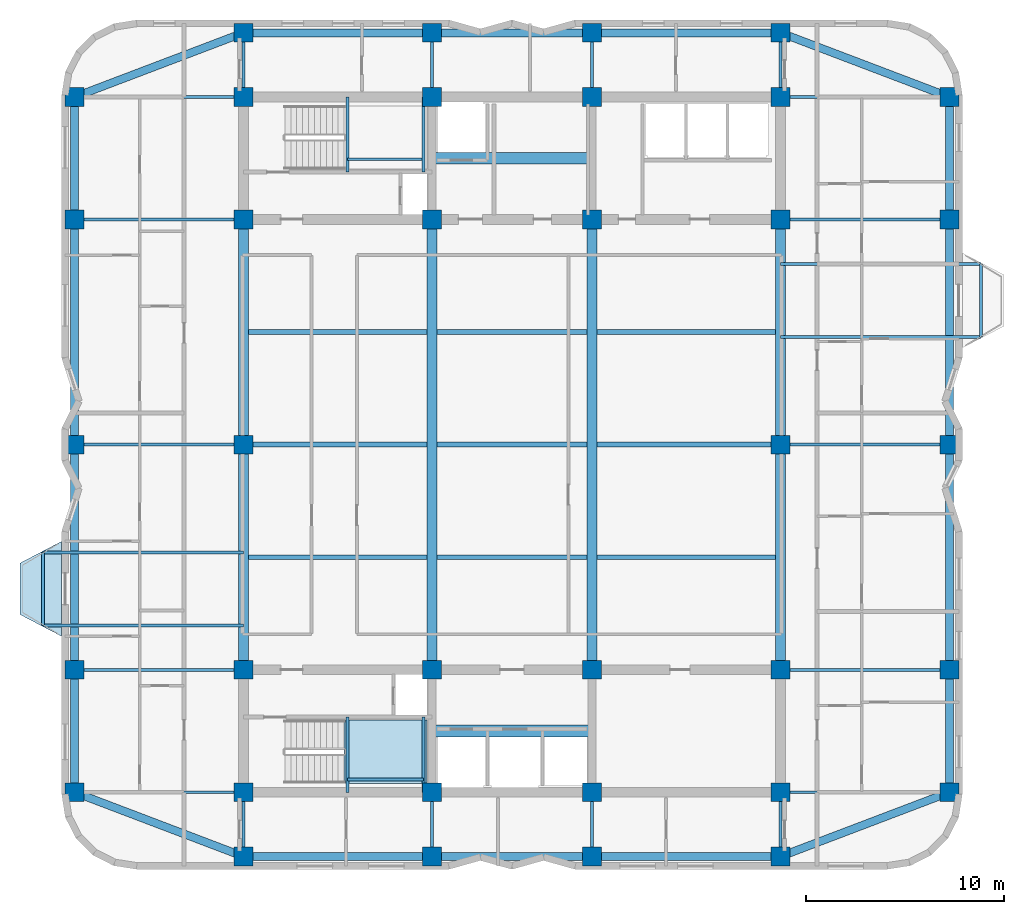
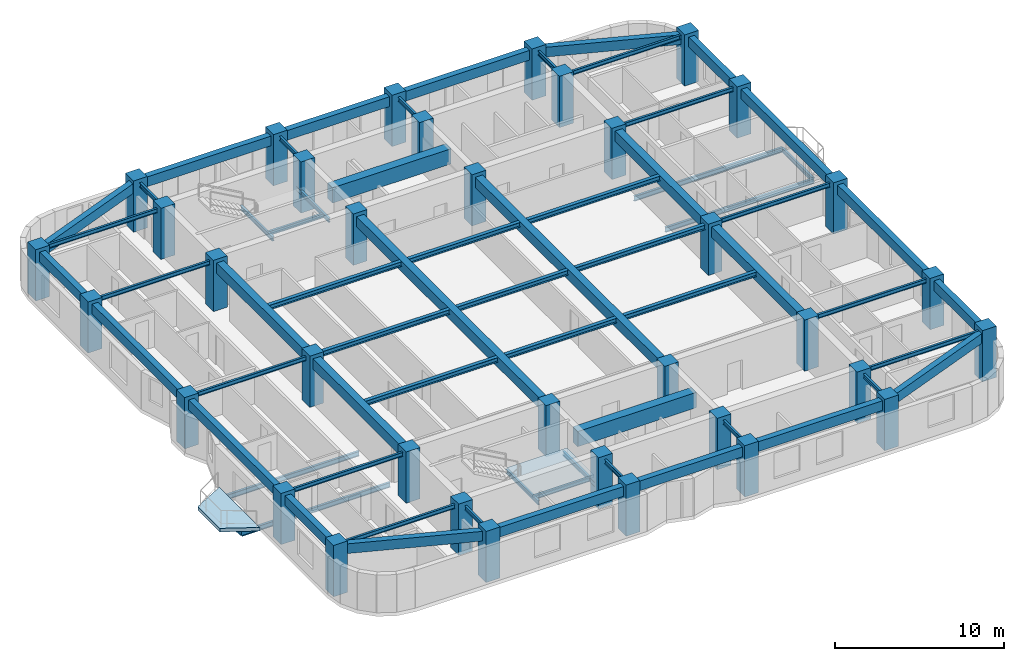
# One storey, part 1 of 9: 65 beams, 36 columns, 2 slabs, 1 element without a shape of its own.
"""IFC4 building model written with IfcOpenShell, lengths in metres."""

from ifc_helpers import new_model, si_unit, direction, frame, origin, origin_2d, place, context, subcontext, project, spatial, polyline, rectangle, i_section, outline, extrude, material, layer, layer_set, material_profile, profile_set, type_object, element, aggregate, save


model = new_model("IFC4")

# Units and contexts
model_context = context("Model", 3, precision=1e-05, world=origin(), true_north=direction((0.0, 1.0)))
body_context = subcontext(model_context, "Body", "Model", "MODEL_VIEW")
ifc_project = project(units=[si_unit("LENGTHUNIT", "METRE"), si_unit("AREAUNIT", "SQUARE_METRE"), si_unit("VOLUMEUNIT", "CUBIC_METRE"), si_unit("PLANEANGLEUNIT", "RADIAN"), si_unit("MASSUNIT", "GRAM", prefix="KILO")], contexts=[model_context])

# Site, building, storey
site_placement = place(None, origin())
site = spatial("IfcSite", under=ifc_project, at=site_placement, CompositionType="ELEMENT")
building_placement = place(site_placement, origin())
building = spatial("IfcBuilding", under=site, at=building_placement, Name="Svetorya Sky Lyceum", CompositionType="ELEMENT")
storey_placement = place(building_placement, frame((0.0, 0.0, 181.10009765625)))
storey = spatial("IfcBuildingStorey", under=building, at=storey_placement, Name="L45", CompositionType="ELEMENT", Elevation=181.10009765625)

# Columns
ifc_material_1 = material(Name="Concrete C50/60", Category="concrete")
ifc_material_profile_1 = material_profile(ifc_material_1, rectangle(XDim=0.949951171875, YDim=0.949951171875, at=origin_2d()), Name="RC COL 950x950")
ifc_profile_set_1 = profile_set([ifc_material_profile_1], Name="Concrete C50/60")
column_type = type_object("IfcColumnType", Name="COL-RC-950", PredefinedType="COLUMN", material=ifc_profile_set_1)
for number, where, z_axis, x_axis, name in (
    (1, (25.60009765625, 10.60009765625, 0.0), (0.0, 0.0, 1.0), (1.0, 0.0, 0.0), "L45 Core Column CS-11"),
    (2, (25.60009765625, 16.800048828125, 0.0), (0.0, 0.0, 1.0), (1.0, 0.0, 0.0), "L45 Core Column CS-12"),
    (3, (35.14990234375, 10.60009765625, 0.0), (0.0, 0.0, 1.0), (1.0, 0.0, 0.0), "L45 Core Column CS-21"),
    (4, (35.14990234375, 16.800048828125, 0.0), (0.0, 0.0, 1.0), (1.0, 0.0, 0.0), "L45 Core Column CS-22"),
    (5, (43.25, 10.60009765625, 0.0), (0.0, 0.0, 1.0), (1.0, 0.0, 0.0), "L45 Core Column CS-31"),
    (6, (43.25, 16.800048828125, 0.0), (0.0, 0.0, 1.0), (1.0, 0.0, 0.0), "L45 Core Column CS-32"),
    (7, (52.800048828125, 10.60009765625, 0.0), (0.0, 0.0, 1.0), (1.0, 0.0, 0.0), "L45 Core Column CS-41"),
    (8, (52.800048828125, 16.800048828125, 0.0), (0.0, 0.0, 1.0), (1.0, 0.0, 0.0), "L45 Core Column CS-42"),
    (9, (25.60009765625, 39.60009765625, 0.0), (0.0, 0.0, 1.0), (1.0, 0.0, 0.0), "L45 Core Column CN-11"),
    (10, (25.60009765625, 45.800048828125, 0.0), (0.0, 0.0, 1.0), (1.0, 0.0, 0.0), "L45 Core Column CN-12"),
    (11, (35.14990234375, 39.60009765625, 0.0), (0.0, 0.0, 1.0), (1.0, 0.0, 0.0), "L45 Core Column CN-21"),
    (12, (35.14990234375, 45.800048828125, 0.0), (0.0, 0.0, 1.0), (1.0, 0.0, 0.0), "L45 Core Column CN-22"),
    (13, (43.25, 39.60009765625, 0.0), (0.0, 0.0, 1.0), (1.0, 0.0, 0.0), "L45 Core Column CN-31"),
    (14, (43.25, 45.800048828125, 0.0), (0.0, 0.0, 1.0), (1.0, 0.0, 0.0), "L45 Core Column CN-32"),
    (15, (52.800048828125, 39.60009765625, 0.0), (0.0, 0.0, 1.0), (1.0, 0.0, 0.0), "L45 Core Column CN-41"),
    (16, (52.800048828125, 45.800048828125, 0.0), (0.0, 0.0, 1.0), (1.0, 0.0, 0.0), "L45 Core Column CN-42"),
    (17, (25.60009765625, 28.199951171875, 0.0), (0.0, 0.0, 1.0), (1.0, 0.0, 0.0), "L45 Core Column CM-W"),
    (18, (52.800048828125, 28.199951171875, 0.0), (0.0, 0.0, 1.0), (1.0, 0.0, 0.0), "L45 Core Column CM-E"),
    (19, (25.60009765625, 7.35009765625, 0.0), (0.0, 0.0, 1.0), (1.0, 0.0, 0.0), "L45 Perimeter Column S1"),
    (20, (25.60009765625, 49.050048828125, 0.0), (0.0, 0.0, 1.0), (1.0, 0.0, 0.0), "L45 Perimeter Column N1"),
    (21, (35.14990234375, 7.35009765625, 0.0), (0.0, 0.0, 1.0), (1.0, 0.0, 0.0), "L45 Perimeter Column S2"),
    (22, (35.14990234375, 49.050048828125, 0.0), (0.0, 0.0, 1.0), (1.0, 0.0, 0.0), "L45 Perimeter Column N2"),
    (23, (43.25, 7.35009765625, 0.0), (0.0, 0.0, 1.0), (1.0, 0.0, 0.0), "L45 Perimeter Column S3"),
    (24, (43.25, 49.050048828125, 0.0), (0.0, 0.0, 1.0), (1.0, 0.0, 0.0), "L45 Perimeter Column N3"),
    (25, (52.800048828125, 7.35009765625, 0.0), (0.0, 0.0, 1.0), (1.0, 0.0, 0.0), "L45 Perimeter Column S4"),
    (26, (52.800048828125, 49.050048828125, 0.0), (0.0, 0.0, 1.0), (1.0, 0.0, 0.0), "L45 Perimeter Column N4"),
    (27, (17.050048828125, 10.60009765625, 0.0), (0.0, 0.0, 1.0), (1.0, 0.0, 0.0), "L45 Perimeter Column W1"),
    (28, (61.35009765625, 10.60009765625, 0.0), (0.0, 0.0, 1.0), (1.0, 0.0, 0.0), "L45 Perimeter Column E1"),
    (29, (17.050048828125, 16.800048828125, 0.0), (0.0, 0.0, 1.0), (1.0, 0.0, 0.0), "L45 Perimeter Column W2"),
    (30, (61.35009765625, 16.800048828125, 0.0), (0.0, 0.0, 1.0), (1.0, 0.0, 0.0), "L45 Perimeter Column E2"),
    (31, (17.050048828125, 28.199951171875, 0.0), (0.0, 0.0, 1.0), (1.0, 0.0, 0.0), "L45 Perimeter Column W3"),
    (32, (61.35009765625, 28.199951171875, 0.0), (0.0, 0.0, 1.0), (1.0, 0.0, 0.0), "L45 Perimeter Column E3"),
    (33, (17.050048828125, 39.60009765625, 0.0), (0.0, 0.0, 1.0), (1.0, 0.0, 0.0), "L45 Perimeter Column W4"),
    (34, (61.35009765625, 39.60009765625, 0.0), (0.0, 0.0, 1.0), (1.0, 0.0, 0.0), "L45 Perimeter Column E4"),
    (35, (17.050048828125, 45.800048828125, 0.0), (0.0, 0.0, 1.0), (1.0, 0.0, 0.0), "L45 Perimeter Column W5"),
    (36, (61.35009765625, 45.800048828125, 0.0), (0.0, 0.0, 1.0), (1.0, 0.0, 0.0), "L45 Perimeter Column E5"),
):
    element("IfcColumn", number, at=place(storey_placement, frame(where, z_axis=z_axis, x_axis=x_axis)), inside=storey, type_object=column_type, Name=name, PredefinedType="COLUMN", context=body_context, shape_type="SweptSolid", body=[
        extrude(rectangle(XDim=0.949951171875, YDim=0.949951171875, at=origin_2d()), origin(), (0.0, 0.0, 1.0), 3.699951171875),
    ])

# Beams
ifc_material_2 = material(Name="Concrete C60/75", Category="concrete")
ifc_material_profile_2 = material_profile(ifc_material_2, rectangle(XDim=0.60009765625, YDim=1.10009765625, at=origin_2d()), Name="RC COUPLING 600x1100")
ifc_profile_set_2 = profile_set([ifc_material_profile_2], Name="Concrete C60/75")
beam_type_1 = type_object("IfcBeamType", Name="BM-CPL-1100", PredefinedType="LINTEL", material=ifc_profile_set_2)
for number, where, z_axis, x_axis, name in (
    (37, (35.14990234375, 13.699951171875, 2.889892578125), (1.0, 0.0, 0.0), (0.0, 1.0, 0.0), "L45 SC Core Coupling Beam"),
    (38, (35.14990234375, 42.699951171875, 2.889892578125), (1.0, 0.0, 0.0), (0.0, 1.0, 0.0), "L45 NC Core Coupling Beam"),
):
    element("IfcBeam", number, at=place(storey_placement, frame(where, z_axis=z_axis, x_axis=x_axis)), inside=storey, type_object=beam_type_1, Name=name, PredefinedType="LINTEL", context=body_context, shape_type="SweptSolid", body=[
        extrude(rectangle(XDim=0.60009765625, YDim=1.10009765625, at=origin_2d()), origin(), (0.0, 0.0, 1.0), 8.10009765625),
    ])
ifc_material_profile_3 = material_profile(ifc_material_1, rectangle(XDim=0.5, YDim=0.75, at=origin_2d()), Name="RC BEAM 500x750")
ifc_profile_set_3 = profile_set([ifc_material_profile_3], Name="Concrete C50/60")
beam_type_2 = type_object("IfcBeamType", Name="BM-RC-750", PredefinedType="BEAM", material=ifc_profile_set_3)
beam_1_placement = place(storey_placement, frame((25.60009765625, 16.800048828125, 3.06494140625), z_axis=(0.0, 1.0, 0.0), x_axis=(-1.0, 0.0, 0.0)))
element("IfcBeam", 39, at=beam_1_placement, inside=storey, type_object=beam_type_2, Name="L45 Central Bay Primary Girder CG-1A", PredefinedType="BEAM", context=body_context, shape_type="SweptSolid", body=[
    extrude(rectangle(XDim=0.5, YDim=0.75, at=origin_2d()), origin(), (0.0, 0.0, 1.0), 11.39990234375),
])
beam_2_placement = place(storey_placement, frame((25.60009765625, 28.199951171875, 3.06494140625), z_axis=(0.0, 1.0, 0.0), x_axis=(-1.0, 0.0, 0.0)))
element("IfcBeam", 40, at=beam_2_placement, inside=storey, type_object=beam_type_2, Name="L45 Central Bay Primary Girder CG-1B", PredefinedType="BEAM", context=body_context, shape_type="SweptSolid", body=[
    extrude(rectangle(XDim=0.5, YDim=0.75, at=origin_2d()), origin(), (0.0, 0.0, 1.0), 11.400146484375),
])
for number, where, z_axis, x_axis, name in (
    (41, (35.14990234375, 16.800048828125, 3.06494140625), (0.0, 1.0, 0.0), (-1.0, 0.0, 0.0), "L45 Central Bay Primary Girder CG-2"),
    (42, (43.25, 16.800048828125, 3.06494140625), (0.0, 1.0, 0.0), (-1.0, 0.0, 0.0), "L45 Central Bay Primary Girder CG-3"),
):
    element("IfcBeam", number, at=place(storey_placement, frame(where, z_axis=z_axis, x_axis=x_axis)), inside=storey, type_object=beam_type_2, Name=name, PredefinedType="BEAM", context=body_context, shape_type="SweptSolid", body=[
        extrude(rectangle(XDim=0.5, YDim=0.75, at=origin_2d()), origin(), (0.0, 0.0, 1.0), 22.800048828125),
    ])
beam_3_placement = place(storey_placement, frame((52.800048828125, 16.800048828125, 3.06494140625), z_axis=(0.0, 1.0, 0.0), x_axis=(-1.0, 0.0, 0.0)))
element("IfcBeam", 43, at=beam_3_placement, inside=storey, type_object=beam_type_2, Name="L45 Central Bay Primary Girder CG-4A", PredefinedType="BEAM", context=body_context, shape_type="SweptSolid", body=[
    extrude(rectangle(XDim=0.5, YDim=0.75, at=origin_2d()), origin(), (0.0, 0.0, 1.0), 11.39990234375),
])
beam_4_placement = place(storey_placement, frame((52.800048828125, 28.199951171875, 3.06494140625), z_axis=(0.0, 1.0, 0.0), x_axis=(-1.0, 0.0, 0.0)))
element("IfcBeam", 44, at=beam_4_placement, inside=storey, type_object=beam_type_2, Name="L45 Central Bay Primary Girder CG-4B", PredefinedType="BEAM", context=body_context, shape_type="SweptSolid", body=[
    extrude(rectangle(XDim=0.5, YDim=0.75, at=origin_2d()), origin(), (0.0, 0.0, 1.0), 11.400146484375),
])
ifc_material_profile_4 = material_profile(ifc_material_1, rectangle(XDim=0.39990234375, YDim=0.699951171875, at=origin_2d()), Name="RC SPANDREL 400x700")
ifc_profile_set_4 = profile_set([ifc_material_profile_4], Name="Concrete C50/60")
beam_type_3 = type_object("IfcBeamType", Name="BM-SPN-700", PredefinedType="SPANDREL", material=ifc_profile_set_4)
beam_5_placement = place(storey_placement, frame((25.60009765625, 7.35009765625, 3.08984375), z_axis=(1.0, 0.0, 0.0), x_axis=(0.0, 1.0, 0.0)))
element("IfcBeam", 45, at=beam_5_placement, inside=storey, type_object=beam_type_3, Name="L45 South Spandrel 1", PredefinedType="SPANDREL", context=body_context, shape_type="SweptSolid", body=[
    extrude(rectangle(XDim=0.39990234375, YDim=0.699951171875, at=origin_2d()), origin(), (0.0, 0.0, 1.0), 9.5498046875),
])
beam_6_placement = place(storey_placement, frame((35.14990234375, 7.35009765625, 3.08984375), z_axis=(1.0, 0.0, 0.0), x_axis=(0.0, 1.0, 0.0)))
element("IfcBeam", 46, at=beam_6_placement, inside=storey, type_object=beam_type_3, Name="L45 South Spandrel 2", PredefinedType="SPANDREL", context=body_context, shape_type="SweptSolid", body=[
    extrude(rectangle(XDim=0.39990234375, YDim=0.699951171875, at=origin_2d()), origin(), (0.0, 0.0, 1.0), 8.10009765625),
])
beam_7_placement = place(storey_placement, frame((43.25, 7.35009765625, 3.08984375), z_axis=(1.0, 0.0, 0.0), x_axis=(0.0, 1.0, 0.0)))
element("IfcBeam", 47, at=beam_7_placement, inside=storey, type_object=beam_type_3, Name="L45 South Spandrel 3", PredefinedType="SPANDREL", context=body_context, shape_type="SweptSolid", body=[
    extrude(rectangle(XDim=0.39990234375, YDim=0.699951171875, at=origin_2d()), origin(), (0.0, 0.0, 1.0), 9.550048828125),
])
beam_8_placement = place(storey_placement, frame((25.60009765625, 49.050048828125, 3.08984375), z_axis=(1.0, 0.0, 0.0), x_axis=(0.0, 1.0, 0.0)))
element("IfcBeam", 48, at=beam_8_placement, inside=storey, type_object=beam_type_3, Name="L45 North Spandrel 1", PredefinedType="SPANDREL", context=body_context, shape_type="SweptSolid", body=[
    extrude(rectangle(XDim=0.39990234375, YDim=0.699951171875, at=origin_2d()), origin(), (0.0, 0.0, 1.0), 9.5498046875),
])
beam_9_placement = place(storey_placement, frame((35.14990234375, 49.050048828125, 3.08984375), z_axis=(1.0, 0.0, 0.0), x_axis=(0.0, 1.0, 0.0)))
element("IfcBeam", 49, at=beam_9_placement, inside=storey, type_object=beam_type_3, Name="L45 North Spandrel 2", PredefinedType="SPANDREL", context=body_context, shape_type="SweptSolid", body=[
    extrude(rectangle(XDim=0.39990234375, YDim=0.699951171875, at=origin_2d()), origin(), (0.0, 0.0, 1.0), 8.10009765625),
])
beam_10_placement = place(storey_placement, frame((43.25, 49.050048828125, 3.08984375), z_axis=(1.0, 0.0, 0.0), x_axis=(0.0, 1.0, 0.0)))
element("IfcBeam", 50, at=beam_10_placement, inside=storey, type_object=beam_type_3, Name="L45 North Spandrel 3", PredefinedType="SPANDREL", context=body_context, shape_type="SweptSolid", body=[
    extrude(rectangle(XDim=0.39990234375, YDim=0.699951171875, at=origin_2d()), origin(), (0.0, 0.0, 1.0), 9.550048828125),
])
for number, where, z_axis, x_axis, name in (
    (51, (25.60009765625, 7.35009765625, 3.08984375), (-0.934747947367, 0.355311518099, 0.0), (-0.355311518099, -0.934747947367, 0.0), "L45 Corner Spandrel 1"),
    (52, (52.800048828125, 7.35009765625, 3.08984375), (0.934747947367, 0.355311518099, 0.0), (-0.355311518099, 0.934747947367, 0.0), "L45 Corner Spandrel 2"),
    (53, (61.35009765625, 45.800048828125, 3.08984375), (-0.934747947367, 0.355311518099, 0.0), (-0.355311518099, -0.934747947367, 0.0), "L45 Corner Spandrel 3"),
    (54, (17.050048828125, 45.800048828125, 3.08984375), (0.934747947367, 0.355311518099, 0.0), (-0.355311518099, 0.934747947367, 0.0), "L45 Corner Spandrel 4"),
):
    element("IfcBeam", number, at=place(storey_placement, frame(where, z_axis=z_axis, x_axis=x_axis)), inside=storey, type_object=beam_type_3, Name=name, PredefinedType="SPANDREL", context=body_context, shape_type="SweptSolid", body=[
        extrude(rectangle(XDim=0.39990234375, YDim=0.699951171875, at=origin_2d()), origin(), (0.0, 0.0, 1.0), 9.14697265625),
    ])
beam_11_placement = place(storey_placement, frame((17.050048828125, 10.60009765625, 3.08984375), z_axis=(0.0, 1.0, 0.0), x_axis=(-1.0, 0.0, 0.0)))
element("IfcBeam", 55, at=beam_11_placement, inside=storey, type_object=beam_type_3, Name="L45 West Spandrel 1", PredefinedType="SPANDREL", context=body_context, shape_type="SweptSolid", body=[
    extrude(rectangle(XDim=0.39990234375, YDim=0.699951171875, at=origin_2d()), origin(), (0.0, 0.0, 1.0), 6.199951171875),
])
beam_12_placement = place(storey_placement, frame((17.050048828125, 16.800048828125, 3.08984375), z_axis=(0.0, 1.0, 0.0), x_axis=(-1.0, 0.0, 0.0)))
element("IfcBeam", 56, at=beam_12_placement, inside=storey, type_object=beam_type_3, Name="L45 West Spandrel 2", PredefinedType="SPANDREL", context=body_context, shape_type="SweptSolid", body=[
    extrude(rectangle(XDim=0.39990234375, YDim=0.699951171875, at=origin_2d()), origin(), (0.0, 0.0, 1.0), 11.39990234375),
])
beam_13_placement = place(storey_placement, frame((17.050048828125, 28.199951171875, 3.08984375), z_axis=(0.0, 1.0, 0.0), x_axis=(-1.0, 0.0, 0.0)))
element("IfcBeam", 57, at=beam_13_placement, inside=storey, type_object=beam_type_3, Name="L45 West Spandrel 3", PredefinedType="SPANDREL", context=body_context, shape_type="SweptSolid", body=[
    extrude(rectangle(XDim=0.39990234375, YDim=0.699951171875, at=origin_2d()), origin(), (0.0, 0.0, 1.0), 11.400146484375),
])
for number, where, z_axis, x_axis, name in (
    (58, (17.050048828125, 39.60009765625, 3.08984375), (0.0, 1.0, 0.0), (-1.0, 0.0, 0.0), "L45 West Spandrel 4"),
    (59, (61.35009765625, 10.60009765625, 3.08984375), (0.0, 1.0, 0.0), (-1.0, 0.0, 0.0), "L45 East Spandrel 1"),
):
    element("IfcBeam", number, at=place(storey_placement, frame(where, z_axis=z_axis, x_axis=x_axis)), inside=storey, type_object=beam_type_3, Name=name, PredefinedType="SPANDREL", context=body_context, shape_type="SweptSolid", body=[
        extrude(rectangle(XDim=0.39990234375, YDim=0.699951171875, at=origin_2d()), origin(), (0.0, 0.0, 1.0), 6.199951171875),
    ])
beam_14_placement = place(storey_placement, frame((61.35009765625, 16.800048828125, 3.08984375), z_axis=(0.0, 1.0, 0.0), x_axis=(-1.0, 0.0, 0.0)))
element("IfcBeam", 60, at=beam_14_placement, inside=storey, type_object=beam_type_3, Name="L45 East Spandrel 2", PredefinedType="SPANDREL", context=body_context, shape_type="SweptSolid", body=[
    extrude(rectangle(XDim=0.39990234375, YDim=0.699951171875, at=origin_2d()), origin(), (0.0, 0.0, 1.0), 11.39990234375),
])
beam_15_placement = place(storey_placement, frame((61.35009765625, 28.199951171875, 3.08984375), z_axis=(0.0, 1.0, 0.0), x_axis=(-1.0, 0.0, 0.0)))
element("IfcBeam", 61, at=beam_15_placement, inside=storey, type_object=beam_type_3, Name="L45 East Spandrel 3", PredefinedType="SPANDREL", context=body_context, shape_type="SweptSolid", body=[
    extrude(rectangle(XDim=0.39990234375, YDim=0.699951171875, at=origin_2d()), origin(), (0.0, 0.0, 1.0), 11.400146484375),
])
beam_16_placement = place(storey_placement, frame((61.35009765625, 39.60009765625, 3.08984375), z_axis=(0.0, 1.0, 0.0), x_axis=(-1.0, 0.0, 0.0)))
element("IfcBeam", 62, at=beam_16_placement, inside=storey, type_object=beam_type_3, Name="L45 East Spandrel 4", PredefinedType="SPANDREL", context=body_context, shape_type="SweptSolid", body=[
    extrude(rectangle(XDim=0.39990234375, YDim=0.699951171875, at=origin_2d()), origin(), (0.0, 0.0, 1.0), 6.199951171875),
])
ifc_material_3 = material(Name="Steel S355", Category="steel")
ifc_material_profile_5 = material_profile(ifc_material_3, i_section(OverallWidth=0.14990234375, OverallDepth=0.299072265625, WebThickness=0.006591796875, FlangeThickness=0.010498046875, at=origin_2d()), Name="GOST 30B2")
ifc_profile_set_5 = profile_set([ifc_material_profile_5], Name="Steel S355")
beam_type_4 = type_object("IfcBeamType", Name="BM-STL-30B2", PredefinedType="JOIST", material=ifc_profile_set_5)
beam_17_placement = place(storey_placement, frame((15.449951171875, 19.050048828125, -0.4345703125), z_axis=(0.0, 1.0, 0.0), x_axis=(-1.0, 0.0, 0.0)))
element("IfcBeam", 63, at=beam_17_placement, inside=storey, type_object=beam_type_4, Name="L45 Balcony Edge Tie BAL-W1", PredefinedType="JOIST", context=body_context, shape_type="SweptSolid", body=[
    extrude(i_section(OverallWidth=0.14990234375, OverallDepth=0.299072265625, WebThickness=0.006591796875, FlangeThickness=0.010498046875, at=origin_2d()), origin(), (0.0, 0.0, 1.0), 3.699951171875),
])
beam_18_placement = place(storey_placement, frame((62.949951171875, 33.64990234375, -0.4345703125), z_axis=(0.0, 1.0, 0.0), x_axis=(-1.0, 0.0, 0.0)))
element("IfcBeam", 64, at=beam_18_placement, inside=storey, type_object=beam_type_4, Name="L45 Balcony Edge Tie BAL-E1", PredefinedType="JOIST", context=body_context, shape_type="SweptSolid", body=[
    extrude(i_section(OverallWidth=0.14990234375, OverallDepth=0.299072265625, WebThickness=0.006591796875, FlangeThickness=0.010498046875, at=origin_2d()), origin(), (0.0, 0.0, 1.0), 3.7001953125),
])
for number, where, z_axis, x_axis, name in (
    (65, (17.050048828125, 10.60009765625, 3.290283203125), (1.0, 0.0, 0.0), (0.0, 1.0, 0.0), "L45 West Wing Floor Joist W1"),
    (66, (52.800048828125, 10.60009765625, 3.290283203125), (1.0, 0.0, 0.0), (0.0, 1.0, 0.0), "L45 East Wing Floor Joist E1"),
    (67, (17.050048828125, 16.800048828125, 3.290283203125), (1.0, 0.0, 0.0), (0.0, 1.0, 0.0), "L45 West Wing Floor Joist W2"),
    (68, (52.800048828125, 16.800048828125, 3.290283203125), (1.0, 0.0, 0.0), (0.0, 1.0, 0.0), "L45 East Wing Floor Joist E2"),
    (69, (17.050048828125, 28.199951171875, 3.290283203125), (1.0, 0.0, 0.0), (0.0, 1.0, 0.0), "L45 West Wing Floor Joist W3"),
    (70, (52.800048828125, 28.199951171875, 3.290283203125), (1.0, 0.0, 0.0), (0.0, 1.0, 0.0), "L45 East Wing Floor Joist E3"),
    (71, (17.050048828125, 39.60009765625, 3.290283203125), (1.0, 0.0, 0.0), (0.0, 1.0, 0.0), "L45 West Wing Floor Joist W4"),
    (72, (52.800048828125, 39.60009765625, 3.290283203125), (1.0, 0.0, 0.0), (0.0, 1.0, 0.0), "L45 East Wing Floor Joist E4"),
    (73, (17.050048828125, 45.800048828125, 3.290283203125), (1.0, 0.0, 0.0), (0.0, 1.0, 0.0), "L45 West Wing Floor Joist W5"),
    (74, (52.800048828125, 45.800048828125, 3.290283203125), (1.0, 0.0, 0.0), (0.0, 1.0, 0.0), "L45 East Wing Floor Joist E5"),
):
    element("IfcBeam", number, at=place(storey_placement, frame(where, z_axis=z_axis, x_axis=x_axis)), inside=storey, type_object=beam_type_4, Name=name, PredefinedType="JOIST", context=body_context, shape_type="SweptSolid", body=[
        extrude(i_section(OverallWidth=0.14990234375, OverallDepth=0.299072265625, WebThickness=0.006591796875, FlangeThickness=0.010498046875, at=origin_2d()), origin(), (0.0, 0.0, 1.0), 8.550048828125),
    ])
for number, where, z_axis, x_axis, name in (
    (75, (25.60009765625, 7.35009765625, 3.290283203125), (0.0, 1.0, 0.0), (-1.0, 0.0, 0.0), "L45 South Bay Floor Girder S1"),
    (76, (25.60009765625, 45.800048828125, 3.290283203125), (0.0, 1.0, 0.0), (-1.0, 0.0, 0.0), "L45 North Bay Floor Girder N1"),
    (77, (35.14990234375, 7.35009765625, 3.290283203125), (0.0, 1.0, 0.0), (-1.0, 0.0, 0.0), "L45 South Bay Floor Girder S2"),
    (78, (35.14990234375, 45.800048828125, 3.290283203125), (0.0, 1.0, 0.0), (-1.0, 0.0, 0.0), "L45 North Bay Floor Girder N2"),
    (79, (43.25, 7.35009765625, 3.290283203125), (0.0, 1.0, 0.0), (-1.0, 0.0, 0.0), "L45 South Bay Floor Girder S3"),
    (80, (43.25, 45.800048828125, 3.290283203125), (0.0, 1.0, 0.0), (-1.0, 0.0, 0.0), "L45 North Bay Floor Girder N3"),
    (81, (52.800048828125, 7.35009765625, 3.290283203125), (0.0, 1.0, 0.0), (-1.0, 0.0, 0.0), "L45 South Bay Floor Girder S4"),
    (82, (52.800048828125, 45.800048828125, 3.290283203125), (0.0, 1.0, 0.0), (-1.0, 0.0, 0.0), "L45 North Bay Floor Girder N4"),
):
    element("IfcBeam", number, at=place(storey_placement, frame(where, z_axis=z_axis, x_axis=x_axis)), inside=storey, type_object=beam_type_4, Name=name, PredefinedType="JOIST", context=body_context, shape_type="SweptSolid", body=[
        extrude(i_section(OverallWidth=0.14990234375, OverallDepth=0.299072265625, WebThickness=0.006591796875, FlangeThickness=0.010498046875, at=origin_2d()), origin(), (0.0, 0.0, 1.0), 3.25),
    ])
for number, where, z_axis, x_axis, name in (
    (83, (30.8798828125, 10.60009765625, 1.50048828125), (0.0, 1.0, 0.0), (-1.0, 0.0, 0.0), "L45 Stair ST-S Half-Landing Support Beam 51.1"),
    (84, (34.719970703125, 10.60009765625, 1.50048828125), (0.0, 1.0, 0.0), (-1.0, 0.0, 0.0), "L45 Stair ST-S Half-Landing Support Beam 51.2"),
):
    element("IfcBeam", number, at=place(storey_placement, frame(where, z_axis=z_axis, x_axis=x_axis)), inside=storey, type_object=beam_type_4, Name=name, PredefinedType="JOIST", context=body_context, shape_type="SweptSolid", body=[
        extrude(i_section(OverallWidth=0.14990234375, OverallDepth=0.299072265625, WebThickness=0.006591796875, FlangeThickness=0.010498046875, at=origin_2d()), origin(), (0.0, 0.0, 1.0), 3.7998046875),
    ])
beam_19_placement = place(storey_placement, frame((30.8798828125, 11.25, 1.50048828125), z_axis=(1.0, 0.0, 0.0), x_axis=(0.0, 1.0, 0.0)))
element("IfcBeam", 85, at=beam_19_placement, inside=storey, type_object=beam_type_4, Name="L45 Stair ST-S Half-Landing Cross Tie 51", PredefinedType="JOIST", context=body_context, shape_type="SweptSolid", body=[
    extrude(i_section(OverallWidth=0.14990234375, OverallDepth=0.299072265625, WebThickness=0.006591796875, FlangeThickness=0.010498046875, at=origin_2d()), origin(), (0.0, 0.0, 1.0), 3.840087890625),
])
for number, where, z_axis, x_axis, name in (
    (86, (30.8798828125, 42.0, 1.50048828125), (0.0, 1.0, 0.0), (-1.0, 0.0, 0.0), "L45 Stair ST-N Half-Landing Support Beam 51.1"),
    (87, (34.719970703125, 42.0, 1.50048828125), (0.0, 1.0, 0.0), (-1.0, 0.0, 0.0), "L45 Stair ST-N Half-Landing Support Beam 51.2"),
):
    element("IfcBeam", number, at=place(storey_placement, frame(where, z_axis=z_axis, x_axis=x_axis)), inside=storey, type_object=beam_type_4, Name=name, PredefinedType="JOIST", context=body_context, shape_type="SweptSolid", body=[
        extrude(i_section(OverallWidth=0.14990234375, OverallDepth=0.299072265625, WebThickness=0.006591796875, FlangeThickness=0.010498046875, at=origin_2d()), origin(), (0.0, 0.0, 1.0), 3.800048828125),
    ])
beam_20_placement = place(storey_placement, frame((30.8798828125, 42.64990234375, 1.50048828125), z_axis=(1.0, 0.0, 0.0), x_axis=(0.0, 1.0, 0.0)))
element("IfcBeam", 88, at=beam_20_placement, inside=storey, type_object=beam_type_4, Name="L45 Stair ST-N Half-Landing Cross Tie 51", PredefinedType="JOIST", context=body_context, shape_type="SweptSolid", body=[
    extrude(i_section(OverallWidth=0.14990234375, OverallDepth=0.299072265625, WebThickness=0.006591796875, FlangeThickness=0.010498046875, at=origin_2d()), origin(), (0.0, 0.0, 1.0), 3.840087890625),
])
ifc_material_profile_6 = material_profile(ifc_material_3, i_section(OverallWidth=0.155029296875, OverallDepth=0.34912109375, WebThickness=0.007080078125, FlangeThickness=0.011474609375, at=origin_2d()), Name="GOST 35B2")
ifc_profile_set_6 = profile_set([ifc_material_profile_6], Name="Steel S355")
beam_type_5 = type_object("IfcBeamType", Name="BM-STL-35B2", PredefinedType="JOIST", material=ifc_profile_set_6)
for number, where, z_axis, x_axis, name in (
    (89, (25.60009765625, 19.050048828125, -0.4345703125), (-1.0, 0.0, 0.0), (0.0, -1.0, 0.0), "L45 Balcony Cantilever Beam BAL-W1-1"),
    (90, (25.60009765625, 22.75, -0.4345703125), (-1.0, 0.0, 0.0), (0.0, -1.0, 0.0), "L45 Balcony Cantilever Beam BAL-W1-2"),
):
    element("IfcBeam", number, at=place(storey_placement, frame(where, z_axis=z_axis, x_axis=x_axis)), inside=storey, type_object=beam_type_5, Name=name, PredefinedType="JOIST", context=body_context, shape_type="SweptSolid", body=[
        extrude(i_section(OverallWidth=0.155029296875, OverallDepth=0.34912109375, WebThickness=0.007080078125, FlangeThickness=0.011474609375, at=origin_2d()), origin(), (0.0, 0.0, 1.0), 10.150146484375),
    ])
for number, where, z_axis, x_axis, name in (
    (91, (52.800048828125, 33.64990234375, -0.4345703125), (1.0, 0.0, 0.0), (0.0, 1.0, 0.0), "L45 Balcony Cantilever Beam BAL-E1-1"),
    (92, (52.800048828125, 37.35009765625, -0.4345703125), (1.0, 0.0, 0.0), (0.0, 1.0, 0.0), "L45 Balcony Cantilever Beam BAL-E1-2"),
):
    element("IfcBeam", number, at=place(storey_placement, frame(where, z_axis=z_axis, x_axis=x_axis)), inside=storey, type_object=beam_type_5, Name=name, PredefinedType="JOIST", context=body_context, shape_type="SweptSolid", body=[
        extrude(i_section(OverallWidth=0.155029296875, OverallDepth=0.34912109375, WebThickness=0.007080078125, FlangeThickness=0.011474609375, at=origin_2d()), origin(), (0.0, 0.0, 1.0), 10.14990234375),
    ])
ifc_material_profile_7 = material_profile(ifc_material_3, i_section(OverallWidth=0.25, OverallDepth=0.345947265625, WebThickness=0.009521484375, FlangeThickness=0.014404296875, at=origin_2d()), Name="GOST 35Sh2")
ifc_profile_set_7 = profile_set([ifc_material_profile_7], Name="Steel S355")
beam_type_6 = type_object("IfcBeamType", Name="BM-STL-35SH2", PredefinedType="BEAM", material=ifc_profile_set_7)
beam_21_placement = place(storey_placement, frame((25.85009765625, 22.5, 3.266845703125), z_axis=(1.0, 0.0, 0.0), x_axis=(0.0, 1.0, 0.0)))
element("IfcBeam", 93, at=beam_21_placement, inside=storey, type_object=beam_type_6, Name="L45 Central Floor Joist CJ-1.1", PredefinedType="BEAM", context=body_context, shape_type="SweptSolid", body=[
    extrude(i_section(OverallWidth=0.25, OverallDepth=0.345947265625, WebThickness=0.009521484375, FlangeThickness=0.014404296875, at=origin_2d()), origin(), (0.0, 0.0, 1.0), 9.0498046875),
])
beam_22_placement = place(storey_placement, frame((35.39990234375, 22.5, 3.266845703125), z_axis=(1.0, 0.0, 0.0), x_axis=(0.0, 1.0, 0.0)))
element("IfcBeam", 94, at=beam_22_placement, inside=storey, type_object=beam_type_6, Name="L45 Central Floor Joist CJ-1.2", PredefinedType="BEAM", context=body_context, shape_type="SweptSolid", body=[
    extrude(i_section(OverallWidth=0.25, OverallDepth=0.345947265625, WebThickness=0.009521484375, FlangeThickness=0.014404296875, at=origin_2d()), origin(), (0.0, 0.0, 1.0), 7.60009765625),
])
beam_23_placement = place(storey_placement, frame((43.5, 22.5, 3.266845703125), z_axis=(1.0, 0.0, 0.0), x_axis=(0.0, 1.0, 0.0)))
element("IfcBeam", 95, at=beam_23_placement, inside=storey, type_object=beam_type_6, Name="L45 Central Floor Joist CJ-1.3", PredefinedType="BEAM", context=body_context, shape_type="SweptSolid", body=[
    extrude(i_section(OverallWidth=0.25, OverallDepth=0.345947265625, WebThickness=0.009521484375, FlangeThickness=0.014404296875, at=origin_2d()), origin(), (0.0, 0.0, 1.0), 9.050048828125),
])
beam_24_placement = place(storey_placement, frame((25.85009765625, 28.199951171875, 3.266845703125), z_axis=(1.0, 0.0, 0.0), x_axis=(0.0, 1.0, 0.0)))
element("IfcBeam", 96, at=beam_24_placement, inside=storey, type_object=beam_type_6, Name="L45 Central Floor Joist CJ-2.1", PredefinedType="BEAM", context=body_context, shape_type="SweptSolid", body=[
    extrude(i_section(OverallWidth=0.25, OverallDepth=0.345947265625, WebThickness=0.009521484375, FlangeThickness=0.014404296875, at=origin_2d()), origin(), (0.0, 0.0, 1.0), 9.0498046875),
])
beam_25_placement = place(storey_placement, frame((35.39990234375, 28.199951171875, 3.266845703125), z_axis=(1.0, 0.0, 0.0), x_axis=(0.0, 1.0, 0.0)))
element("IfcBeam", 97, at=beam_25_placement, inside=storey, type_object=beam_type_6, Name="L45 Central Floor Joist CJ-2.2", PredefinedType="BEAM", context=body_context, shape_type="SweptSolid", body=[
    extrude(i_section(OverallWidth=0.25, OverallDepth=0.345947265625, WebThickness=0.009521484375, FlangeThickness=0.014404296875, at=origin_2d()), origin(), (0.0, 0.0, 1.0), 7.60009765625),
])
beam_26_placement = place(storey_placement, frame((43.5, 28.199951171875, 3.266845703125), z_axis=(1.0, 0.0, 0.0), x_axis=(0.0, 1.0, 0.0)))
element("IfcBeam", 98, at=beam_26_placement, inside=storey, type_object=beam_type_6, Name="L45 Central Floor Joist CJ-2.3", PredefinedType="BEAM", context=body_context, shape_type="SweptSolid", body=[
    extrude(i_section(OverallWidth=0.25, OverallDepth=0.345947265625, WebThickness=0.009521484375, FlangeThickness=0.014404296875, at=origin_2d()), origin(), (0.0, 0.0, 1.0), 9.050048828125),
])
beam_27_placement = place(storey_placement, frame((25.85009765625, 33.89990234375, 3.266845703125), z_axis=(1.0, 0.0, 0.0), x_axis=(0.0, 1.0, 0.0)))
element("IfcBeam", 99, at=beam_27_placement, inside=storey, type_object=beam_type_6, Name="L45 Central Floor Joist CJ-3.1", PredefinedType="BEAM", context=body_context, shape_type="SweptSolid", body=[
    extrude(i_section(OverallWidth=0.25, OverallDepth=0.345947265625, WebThickness=0.009521484375, FlangeThickness=0.014404296875, at=origin_2d()), origin(), (0.0, 0.0, 1.0), 9.0498046875),
])
beam_28_placement = place(storey_placement, frame((35.39990234375, 33.89990234375, 3.266845703125), z_axis=(1.0, 0.0, 0.0), x_axis=(0.0, 1.0, 0.0)))
element("IfcBeam", 100, at=beam_28_placement, inside=storey, type_object=beam_type_6, Name="L45 Central Floor Joist CJ-3.2", PredefinedType="BEAM", context=body_context, shape_type="SweptSolid", body=[
    extrude(i_section(OverallWidth=0.25, OverallDepth=0.345947265625, WebThickness=0.009521484375, FlangeThickness=0.014404296875, at=origin_2d()), origin(), (0.0, 0.0, 1.0), 7.60009765625),
])
beam_29_placement = place(storey_placement, frame((43.5, 33.89990234375, 3.266845703125), z_axis=(1.0, 0.0, 0.0), x_axis=(0.0, 1.0, 0.0)))
element("IfcBeam", 101, at=beam_29_placement, inside=storey, type_object=beam_type_6, Name="L45 Central Floor Joist CJ-3.3", PredefinedType="BEAM", context=body_context, shape_type="SweptSolid", body=[
    extrude(i_section(OverallWidth=0.25, OverallDepth=0.345947265625, WebThickness=0.009521484375, FlangeThickness=0.014404296875, at=origin_2d()), origin(), (0.0, 0.0, 1.0), 9.050048828125),
])

# Slab
ifc_material_4 = material(Name="Concrete C40/50", Category="concrete")
ifc_layer_1 = layer(ifc_material_4, 0.260009765625)
ifc_layer_set_1 = layer_set([ifc_layer_1], Name="Concrete C40/50")
slab_type_1 = type_object("IfcSlabType", Name="SL-BAL-260", PredefinedType="FLOOR", material=ifc_layer_set_1)
slab_1_placement = place(storey_placement, frame((0.0, 0.0, -0.260009765625)))
element("IfcSlab", 102, at=slab_1_placement, inside=storey, type_object=slab_type_1, Name="L45 Chamfered Loggia Balcony BAL-W1", PredefinedType="FLOOR", context=body_context, shape_type="SweptSolid", body=[
    extrude(outline(polyline([(16.389892578125, 18.5), (16.389892578125, 23.300048828125), (14.2900390625, 22.199951171875), (14.2900390625, 19.60009765625), (16.389892578125, 18.5)])), origin(), (0.0, 0.0, 1.0), 0.260009765625),
])

# Stair, slab
stair_type = type_object("IfcStairType", Name="STR-ST-S", PredefinedType="HALF_TURN_STAIR", material=ifc_material_4)
stair_placement = place(storey_placement, origin())
stair = element("IfcStair", 103, at=stair_placement, inside=storey, type_object=stair_type, Name="L45 South Core Smoke-Free Exit Stair N2", PredefinedType="HALF_TURN_STAIR")
ifc_layer_2 = layer(ifc_material_4, 0.199951171875)
ifc_layer_set_2 = layer_set([ifc_layer_2], Name="Concrete C40/50")
slab_type_2 = type_object("IfcSlabType", Name="SL-STR-LAND-200", PredefinedType="LANDING", material=ifc_layer_set_2)
slab_2_placement = place(storey_placement, frame((0.0, 0.0, 1.64990234375)))
slab_2 = element("IfcSlab", 104, at=slab_2_placement, type_object=slab_type_2, Name="ST-S landing 1", PredefinedType="LANDING", context=body_context, shape_type="SweptSolid", body=[
    extrude(outline(polyline([(30.699951171875, 11.050048828125), (34.89990234375, 11.050048828125), (34.89990234375, 14.25), (30.699951171875, 14.25), (30.699951171875, 11.050048828125)])), origin(), (0.0, 0.0, 1.0), 0.199951171875),
])
aggregate(stair, [slab_2])

save(model, "model.ifc")
